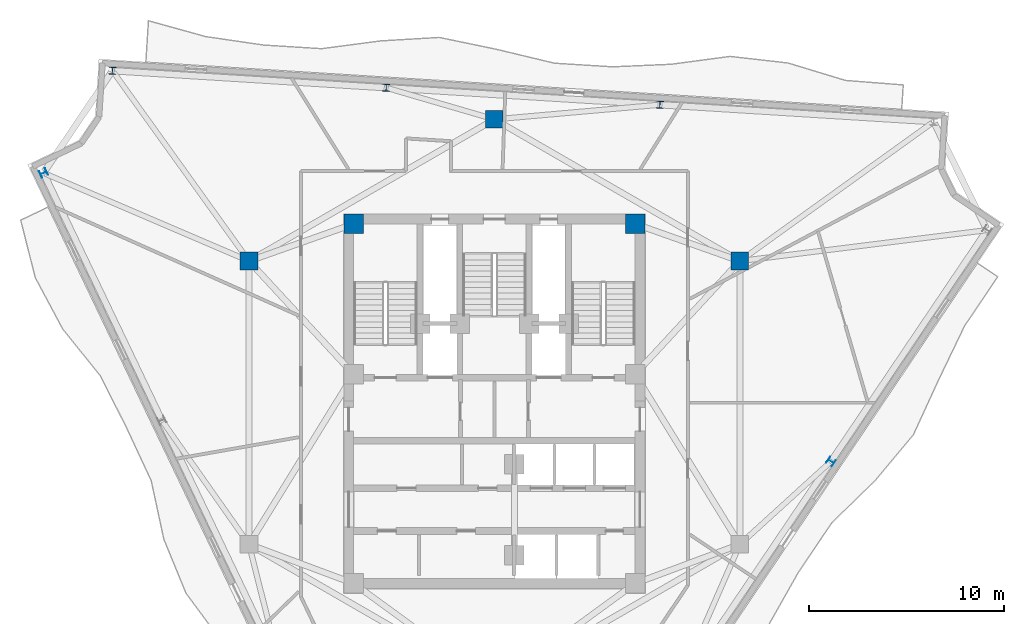
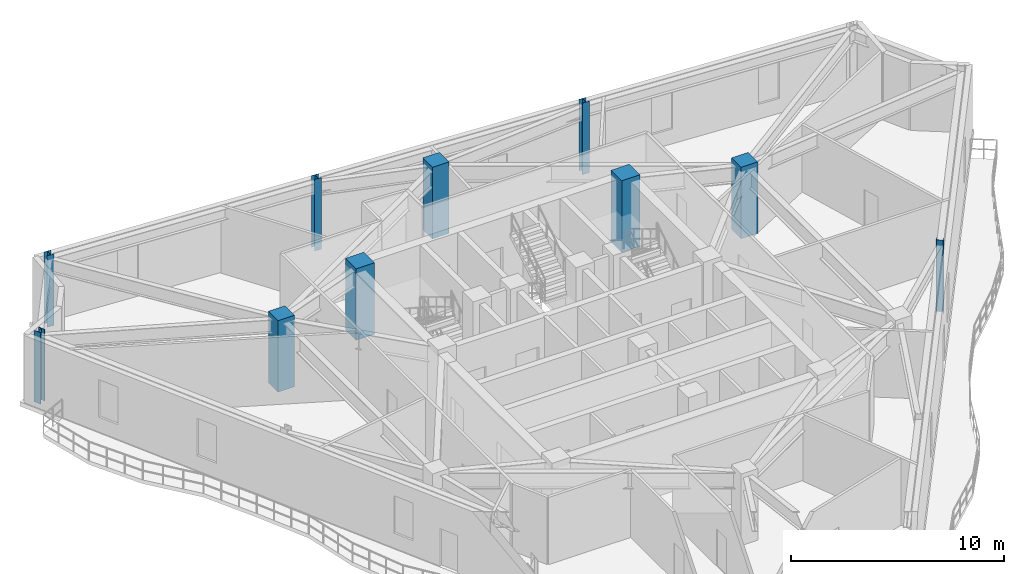
# One storey, part 2 of 11: 10 columns.
"""IFC4 building model written with IfcOpenShell, lengths in metres."""

from ifc_helpers import new_model, si_unit, direction, frame, origin, origin_2d, place, context, subcontext, project, spatial, rectangle, i_section, extrude, material, material_profile, profile_set, type_object, element, save


model = new_model("IFC4")

# Units and contexts
model_context = context("Model", 3, precision=1e-05, world=origin(), true_north=direction((0.0, 1.0)))
body_context = subcontext(model_context, "Body", "Model", "MODEL_VIEW")
ifc_project = project(units=[si_unit("LENGTHUNIT", "METRE"), si_unit("AREAUNIT", "SQUARE_METRE"), si_unit("VOLUMEUNIT", "CUBIC_METRE"), si_unit("PLANEANGLEUNIT", "RADIAN"), si_unit("MASSUNIT", "GRAM", prefix="KILO")], contexts=[model_context])

# Site, building, storey
site_placement = place(None, origin())
site = spatial("IfcSite", under=ifc_project, at=site_placement, CompositionType="ELEMENT")
building_placement = place(site_placement, origin())
building = spatial("IfcBuilding", under=site, at=building_placement, Name="Apsidion Concourse Tower", CompositionType="ELEMENT")
storey_placement = place(building_placement, frame((0.0, 0.0, 306.5)))
storey = spatial("IfcBuildingStorey", under=building, at=storey_placement, Name="L72", CompositionType="ELEMENT", Elevation=306.5)

# Columns
ifc_material_1 = material(Name="Concrete C50/60", Category="concrete")
ifc_material_profile_1 = material_profile(ifc_material_1, rectangle(XDim=1.0, YDim=1.0, at=origin_2d()), Name="RC 1000x1000")
ifc_profile_set_1 = profile_set([ifc_material_profile_1], Name="Concrete C50/60")
column_type_1 = type_object("IfcColumnType", Name="COL-RC-1000", PredefinedType="COLUMN", material=ifc_profile_set_1)
for number, where, z_axis, x_axis, name in (
    (1, (7.199951171875, 9.14990234375, 0.0), (0.0, 0.0, 1.0), (1.0, 0.0, 0.0), "L72 Core Super-Column SC4"),
    (2, (-7.199951171875, 9.14990234375, 0.0), (0.0, 0.0, 1.0), (1.0, 0.0, 0.0), "L72 Core Super-Column SC5"),
):
    element("IfcColumn", number, at=place(storey_placement, frame(where, z_axis=z_axis, x_axis=x_axis)), inside=storey, type_object=column_type_1, Name=name, PredefinedType="COLUMN", context=body_context, shape_type="SweptSolid", body=[
        extrude(rectangle(XDim=1.0, YDim=1.0, at=origin_2d()), origin(), (0.0, 0.0, 1.0), 4.10009765625),
    ])
ifc_material_profile_2 = material_profile(ifc_material_1, rectangle(XDim=0.89990234375, YDim=0.89990234375, at=origin_2d()), Name="RC 900x900")
ifc_profile_set_2 = profile_set([ifc_material_profile_2], Name="Concrete C50/60")
column_type_2 = type_object("IfcColumnType", Name="COL-RC-900", PredefinedType="COLUMN", material=ifc_profile_set_2)
for number, where, z_axis, x_axis, name in (
    (3, (12.56005859375, 7.25, 0.0), (0.0, 0.0, 1.0), (1.0, 0.0, 0.0), "L72 Interior Spine Column IC3"),
    (4, (0.0, 14.5, 0.0), (0.0, 0.0, 1.0), (1.0, 0.0, 0.0), "L72 Interior Spine Column IC4"),
    (5, (-12.56005859375, 7.25, 0.0), (0.0, 0.0, 1.0), (1.0, 0.0, 0.0), "L72 Interior Spine Column IC5"),
):
    element("IfcColumn", number, at=place(storey_placement, frame(where, z_axis=z_axis, x_axis=x_axis)), inside=storey, type_object=column_type_2, Name=name, PredefinedType="COLUMN", context=body_context, shape_type="SweptSolid", body=[
        extrude(rectangle(XDim=0.89990234375, YDim=0.89990234375, at=origin_2d()), origin(), (0.0, 0.0, 1.0), 4.10009765625),
    ])
ifc_material_2 = material(Name="Structural steel ASTM A992 Grade 50", Category="steel")
ifc_material_profile_3 = material_profile(ifc_material_2, i_section(OverallWidth=0.367919921875, OverallDepth=0.35595703125, WebThickness=0.01123046875, FlangeThickness=0.01806640625, at=origin_2d()), Name="W14X90")
ifc_profile_set_3 = profile_set([ifc_material_profile_3], Name="Structural steel ASTM A992 Grade 50")
column_type_3 = type_object("IfcColumnType", Name="COL-W14-90", PredefinedType="COLUMN", material=ifc_profile_set_3)
for number, where, z_axis, x_axis, name in (
    (6, (-23.0732421875, 11.758544921875, 0.0), (0.0, 0.0, 1.0), (-0.431298587031, 0.902209248913, 0.0), "L72 Rotated Perimeter Column PC01"),
    (7, (17.223876953125, -3.005615234375, 0.0), (0.0, 0.0, 1.0), (0.559192903471, 0.829037572555, 0.0), "L72 Rotated Perimeter Column PC07"),
    (8, (8.469482421875, 15.24853515625, 0.0), (0.0, 0.0, 1.0), (-0.998081143466, 0.061919553109, 0.0), "L72 Rotated Perimeter Column PC10"),
    (9, (-5.5380859375, 16.118408203125, 0.0), (0.0, 0.0, 1.0), (-0.998081143466, 0.061919553109, 0.0), "L72 Rotated Perimeter Column PC11"),
    (10, (-19.5458984375, 16.98828125, 0.0), (0.0, 0.0, 1.0), (-0.998081143466, 0.061919553109, 0.0), "L72 Rotated Perimeter Column PC12"),
):
    element("IfcColumn", number, at=place(storey_placement, frame(where, z_axis=z_axis, x_axis=x_axis)), inside=storey, type_object=column_type_3, Name=name, PredefinedType="COLUMN", context=body_context, shape_type="SweptSolid", body=[
        extrude(i_section(OverallWidth=0.367919921875, OverallDepth=0.35595703125, WebThickness=0.01123046875, FlangeThickness=0.01806640625, at=origin_2d()), origin(), (0.0, 0.0, 1.0), 4.10009765625),
    ])

save(model, "model.ifc")
